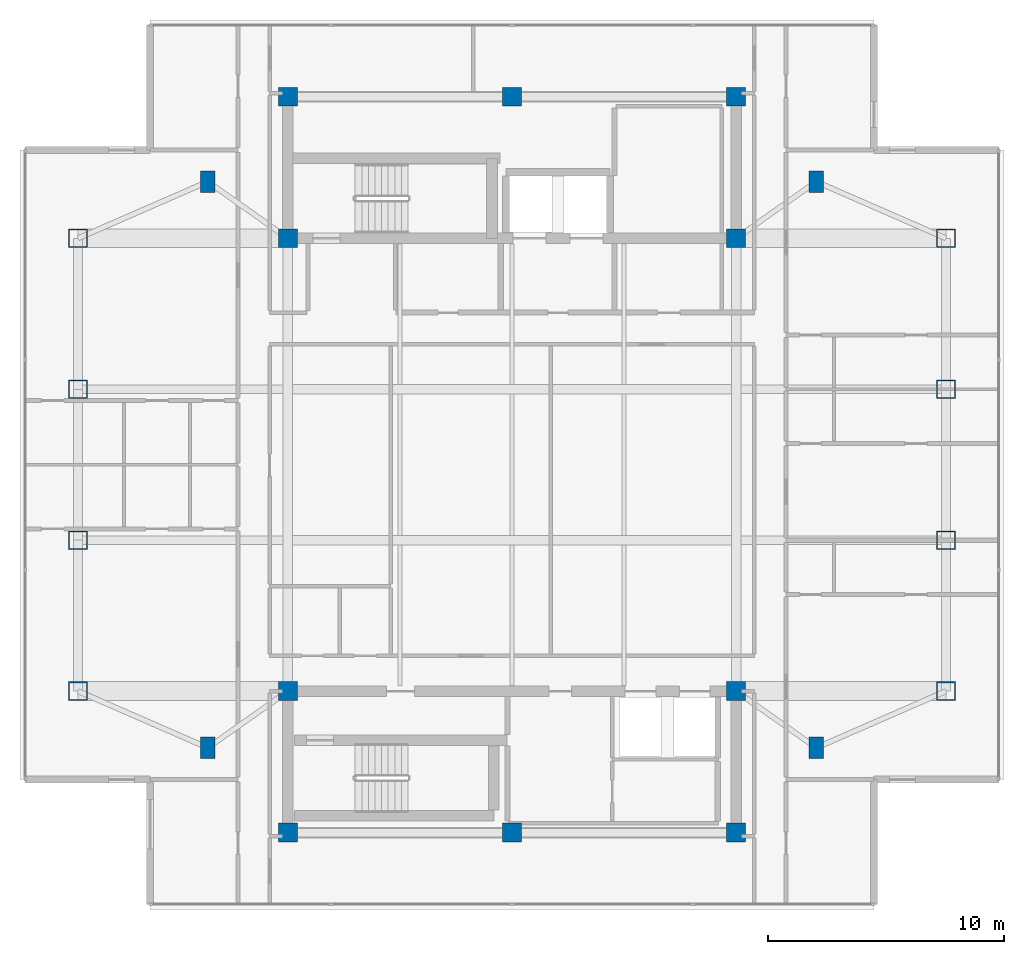
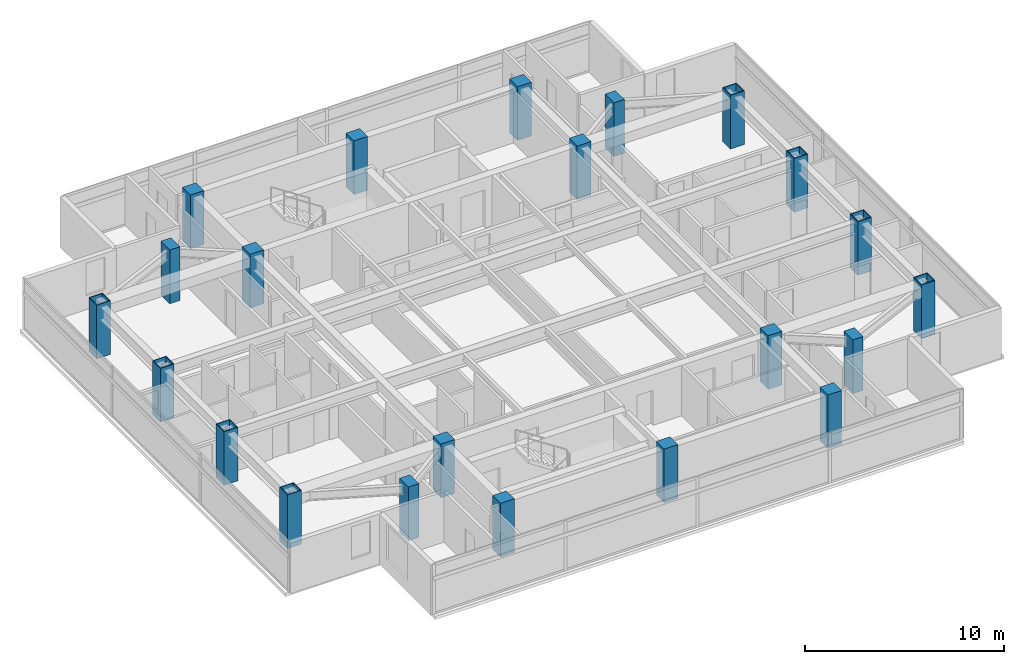
# One storey, part 1 of 12: 22 columns.
"""IFC4 building model written with IfcOpenShell, lengths in metres."""

from ifc_helpers import new_model, si_unit, direction, frame, origin, origin_2d, place, context, subcontext, project, spatial, rectangle, hollow_rectangle, extrude, material, material_profile, profile_set, type_object, element, save


model = new_model("IFC4")

# Units and contexts
model_context = context("Model", 3, precision=1e-05, world=origin(), true_north=direction((0.0, 1.0)))
body_context = subcontext(model_context, "Body", "Model", "MODEL_VIEW")
ifc_project = project(units=[si_unit("LENGTHUNIT", "METRE"), si_unit("AREAUNIT", "SQUARE_METRE"), si_unit("VOLUMEUNIT", "CUBIC_METRE"), si_unit("PLANEANGLEUNIT", "RADIAN"), si_unit("MASSUNIT", "GRAM", prefix="KILO")], contexts=[model_context])

# Site, building, storey
site_placement = place(None, origin())
site = spatial("IfcSite", under=ifc_project, at=site_placement, CompositionType="ELEMENT")
building_placement = place(site_placement, origin())
building = spatial("IfcBuilding", under=site, at=building_placement, Name="Mirazonda Arch Towers", CompositionType="ELEMENT")
storey_placement = place(building_placement, frame((0.0, 0.0, 226.0)))
storey = spatial("IfcBuildingStorey", under=building, at=storey_placement, Name="L64", CompositionType="ELEMENT", Elevation=226.0)

# Columns
ifc_material_1 = material(Name="Concrete C50/60", Category="concrete")
ifc_material_profile_1 = material_profile(ifc_material_1, rectangle(XDim=0.800048828125, YDim=0.800048828125, at=origin_2d()), Name="RC800x800")
ifc_profile_set_1 = profile_set([ifc_material_profile_1], Name="Concrete C50/60")
column_type_1 = type_object("IfcColumnType", Name="COL-INT-RC800x800", PredefinedType="COLUMN", material=ifc_profile_set_1)
for number, where, z_axis, x_axis, name in (
    (1, (11.0, 12.39990234375, 0.0), (0.0, 0.0, 1.0), (1.0, 0.0, 0.0), "L64 T1 Core Column 01"),
    (2, (20.5, 12.39990234375, 0.0), (0.0, 0.0, 1.0), (1.0, 0.0, 0.0), "L64 T1 Core Column 02"),
    (3, (30.0, 12.39990234375, 0.0), (0.0, 0.0, 1.0), (1.0, 0.0, 0.0), "L64 T1 Core Column 03"),
    (4, (11.0, 18.39990234375, 0.0), (0.0, 0.0, 1.0), (1.0, 0.0, 0.0), "L64 T1 Core Column 04"),
    (5, (30.0, 18.39990234375, 0.0), (0.0, 0.0, 1.0), (1.0, 0.0, 0.0), "L64 T1 Core Column 05"),
    (6, (11.0, 37.60009765625, 0.0), (0.0, 0.0, 1.0), (1.0, 0.0, 0.0), "L64 T1 Core Column 06"),
    (7, (30.0, 37.60009765625, 0.0), (0.0, 0.0, 1.0), (1.0, 0.0, 0.0), "L64 T1 Core Column 07"),
    (8, (11.0, 43.60009765625, 0.0), (0.0, 0.0, 1.0), (1.0, 0.0, 0.0), "L64 T1 Core Column 08"),
    (9, (20.5, 43.60009765625, 0.0), (0.0, 0.0, 1.0), (1.0, 0.0, 0.0), "L64 T1 Core Column 09"),
    (10, (30.0, 43.60009765625, 0.0), (0.0, 0.0, 1.0), (1.0, 0.0, 0.0), "L64 T1 Core Column 10"),
):
    element("IfcColumn", number, at=place(storey_placement, frame(where, z_axis=z_axis, x_axis=x_axis)), inside=storey, type_object=column_type_1, Name=name, PredefinedType="COLUMN", context=body_context, shape_type="SweptSolid", body=[
        extrude(rectangle(XDim=0.800048828125, YDim=0.800048828125, at=origin_2d()), origin(), (0.0, 0.0, 1.0), 3.300048828125),
    ])
ifc_material_2 = material(Name="Steel ASTM A572 Grade 50", Category="steel")
ifc_material_profile_2 = material_profile(ifc_material_2, hollow_rectangle(XDim=0.800048828125, YDim=0.800048828125, WallThickness=0.044921875, at=origin_2d()), Name="BOX800x800x45")
ifc_profile_set_2 = profile_set([ifc_material_profile_2], Name="Steel ASTM A572 Grade 50")
column_type_2 = type_object("IfcColumnType", Name="MCOL-EXT-BOX800x800x45", PredefinedType="COLUMN", material=ifc_profile_set_2)
for number, where, z_axis, x_axis, name in (
    (11, (2.10009765625, 18.39990234375, 0.0), (0.0, 0.0, 1.0), (1.0, 0.0, 0.0), "L64 T1 Composite Mega-Column 01"),
    (12, (2.10009765625, 24.800048828125, 0.0), (0.0, 0.0, 1.0), (1.0, 0.0, 0.0), "L64 T1 Composite Mega-Column 02"),
    (13, (2.10009765625, 31.199951171875, 0.0), (0.0, 0.0, 1.0), (1.0, 0.0, 0.0), "L64 T1 Composite Mega-Column 03"),
    (14, (2.10009765625, 37.60009765625, 0.0), (0.0, 0.0, 1.0), (1.0, 0.0, 0.0), "L64 T1 Composite Mega-Column 04"),
    (15, (38.89990234375, 18.39990234375, 0.0), (0.0, 0.0, 1.0), (1.0, 0.0, 0.0), "L64 T1 Composite Mega-Column 05"),
    (16, (38.89990234375, 24.800048828125, 0.0), (0.0, 0.0, 1.0), (1.0, 0.0, 0.0), "L64 T1 Composite Mega-Column 06"),
    (17, (38.89990234375, 31.199951171875, 0.0), (0.0, 0.0, 1.0), (1.0, 0.0, 0.0), "L64 T1 Composite Mega-Column 07"),
    (18, (38.89990234375, 37.60009765625, 0.0), (0.0, 0.0, 1.0), (1.0, 0.0, 0.0), "L64 T1 Composite Mega-Column 08"),
):
    element("IfcColumn", number, at=place(storey_placement, frame(where, z_axis=z_axis, x_axis=x_axis)), inside=storey, type_object=column_type_2, Name=name, PredefinedType="COLUMN", context=body_context, shape_type="SweptSolid", body=[
        extrude(hollow_rectangle(XDim=0.800048828125, YDim=0.800048828125, WallThickness=0.044921875, at=origin_2d()), origin(), (0.0, 0.0, 1.0), 3.300048828125),
    ])
ifc_material_profile_3 = material_profile(ifc_material_1, rectangle(XDim=0.60009765625, YDim=0.89990234375, at=origin_2d()), Name="RC900x600")
ifc_profile_set_3 = profile_set([ifc_material_profile_3], Name="Concrete C50/60")
column_type_3 = type_object("IfcColumnType", Name="PIL-EXT-RC900x600", PredefinedType="PILASTER", material=ifc_profile_set_3)
for number, where, z_axis, x_axis, name in (
    (19, (7.60009765625, 16.0, 0.0), (0.0, 0.0, 1.0), (1.0, 0.0, 0.0), "L64 T1 Corner Pilaster 01"),
    (20, (33.39990234375, 16.0, 0.0), (0.0, 0.0, 1.0), (1.0, 0.0, 0.0), "L64 T1 Corner Pilaster 02"),
    (21, (7.60009765625, 40.0, 0.0), (0.0, 0.0, 1.0), (1.0, 0.0, 0.0), "L64 T1 Corner Pilaster 03"),
    (22, (33.39990234375, 40.0, 0.0), (0.0, 0.0, 1.0), (1.0, 0.0, 0.0), "L64 T1 Corner Pilaster 04"),
):
    element("IfcColumn", number, at=place(storey_placement, frame(where, z_axis=z_axis, x_axis=x_axis)), inside=storey, type_object=column_type_3, Name=name, PredefinedType="PILASTER", context=body_context, shape_type="SweptSolid", body=[
        extrude(rectangle(XDim=0.60009765625, YDim=0.89990234375, at=origin_2d()), origin(), (0.0, 0.0, 1.0), 3.300048828125),
    ])

save(model, "model.ifc")
